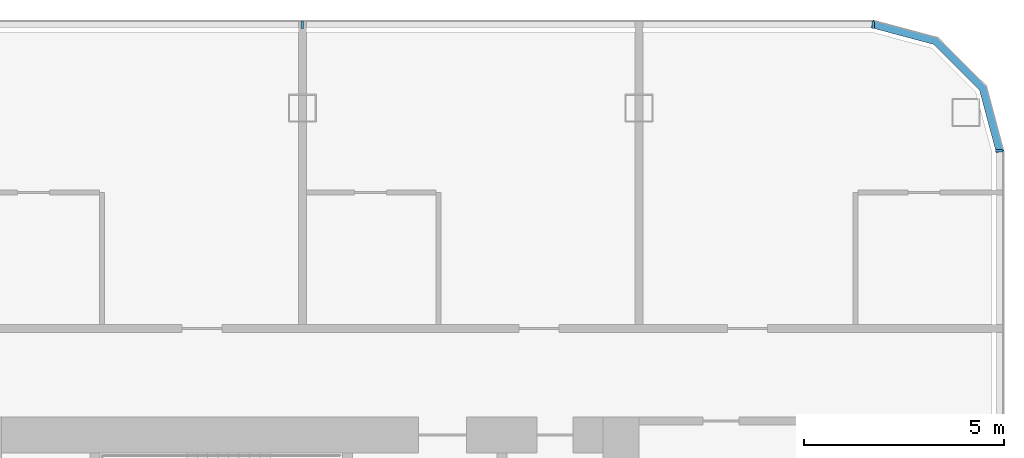
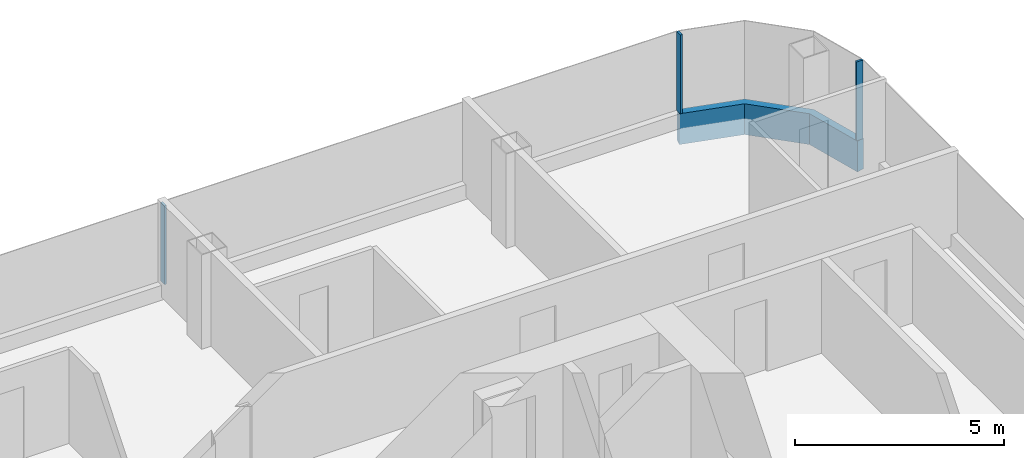
# One storey, part 10 of 25: 4 members, 3 elements without a shape of their own.
"""IFC4 building model written with IfcOpenShell, lengths in metres."""

from ifc_helpers import new_model, si_unit, direction, frame, origin, origin_2d, place, context, subcontext, project, spatial, polyline, rectangle, outline, extrude, material, layer, layer_set, material_profile, profile_set, type_object, element, aggregate, save


model = new_model("IFC4")

# Units and contexts
model_context = context("Model", 3, precision=1e-05, world=origin(), true_north=direction((0.0, 1.0)))
body_context = subcontext(model_context, "Body", "Model", "MODEL_VIEW")
ifc_project = project(units=[si_unit("LENGTHUNIT", "METRE"), si_unit("AREAUNIT", "SQUARE_METRE"), si_unit("VOLUMEUNIT", "CUBIC_METRE"), si_unit("PLANEANGLEUNIT", "RADIAN"), si_unit("MASSUNIT", "GRAM", prefix="KILO")], contexts=[model_context])

# Site, building, storey
site_placement = place(None, origin())
site = spatial("IfcSite", under=ifc_project, at=site_placement, CompositionType="ELEMENT")
building_placement = place(site_placement, origin())
building = spatial("IfcBuilding", under=site, at=building_placement, Name="Hakoniwa Tower and Hamabe Station Hall", CompositionType="ELEMENT")
storey_placement = place(building_placement, frame((0.0, 0.0, 147.0)))
storey = spatial("IfcBuildingStorey", under=building, at=storey_placement, Name="L41", CompositionType="ELEMENT", Elevation=147.0)

# Curtain wall, member
ifc_material_1 = material(Name="Dark low-e laminated glass", Category="glass")
ifc_layer = layer(ifc_material_1, 0.199951171875)
ifc_layer_set = layer_set([ifc_layer], Name="CW-1 UNITISED GUEST")
curtain_wall_type = type_object("IfcCurtainWallType", Name="CW-1 UNITISED GUEST", PredefinedType="NOTDEFINED", material=ifc_layer_set)
curtain_wall_1_placement = place(storey_placement, origin())
curtain_wall_1 = element("IfcCurtainWall", 1, at=curtain_wall_1_placement, inside=storey, type_object=curtain_wall_type, Name="CW-1 curtain wall", PredefinedType="NOTDEFINED")
ifc_material_2 = material(Name="Aluminium 6063-T5 black anodised", Category="aluminium")
ifc_material_profile_1 = material_profile(ifc_material_2, rectangle(XDim=0.199951171875, YDim=0.89990234375, at=origin_2d()), Name="CW SLAB-EDGE BAND 900X200")
ifc_profile_set_1 = profile_set([ifc_material_profile_1], Name="Aluminium 6063-T5 black anodised")
member_type_1 = type_object("IfcMemberType", Name="CW SLAB-EDGE BAND 900X200", PredefinedType="USERDEFINED", material=ifc_profile_set_1)
member_1_placement = place(storey_placement, frame((0.0, 0.0, -0.550048828125)))
member_1 = element("IfcMember", 2, at=member_1_placement, type_object=member_type_1, Name="CW-1 transom", ObjectType="TRANSOM", PredefinedType="USERDEFINED", context=body_context, shape_type="SweptSolid", body=[
    extrude(outline(polyline([(42.699951171875, 15.03955078125), (42.26708984375, 16.6552734375), (41.05517578125, 17.866943359375), (39.439453125, 18.300048828125), (39.3876953125, 18.10693359375), (40.95166015625, 17.687744140625), (42.087646484375, 16.5517578125), (42.5068359375, 14.98779296875), (42.699951171875, 15.03955078125)])), origin(), (0.0, 0.0, 1.0), 0.900146484375),
])
aggregate(curtain_wall_1, [member_1])

curtain_wall_2_placement = place(storey_placement, origin())
curtain_wall_2 = element("IfcCurtainWall", 3, at=curtain_wall_2_placement, inside=storey, type_object=curtain_wall_type, Name="CW-1 curtain wall", PredefinedType="NOTDEFINED")
ifc_material_3 = material(Name="Aluminium 6063-T5 black anodised", Category="aluminium")
ifc_material_profile_2 = material_profile(ifc_material_3, rectangle(XDim=0.06005859375, YDim=0.179931640625, at=origin_2d()), Name="CW-1 MULLION 60X180")
ifc_profile_set_2 = profile_set([ifc_material_profile_2], Name="Aluminium 6063-T5 black anodised")
member_type_2 = type_object("IfcMemberType", Name="CW-1 MULLION 60X180", PredefinedType="MULLION", material=ifc_profile_set_2)
member_2_placement = place(storey_placement, frame((42.58203125, 15.03955078125, 0.35009765625), z_axis=(0.0, 0.0, 1.0), x_axis=(0.0, 1.0, 0.0)))
member_2 = element("IfcMember", 4, at=member_2_placement, type_object=member_type_2, Name="CW-1 mullion", PredefinedType="MULLION", context=body_context, shape_type="SweptSolid", body=[
    extrude(rectangle(XDim=0.06005859375, YDim=0.179931640625, at=origin_2d()), origin(), (0.0, 0.0, 1.0), 2.2998046875),
])
aggregate(curtain_wall_2, [member_2])

# Curtain wall, members
curtain_wall_3_placement = place(storey_placement, origin())
curtain_wall_3 = element("IfcCurtainWall", 5, at=curtain_wall_3_placement, inside=storey, type_object=curtain_wall_type, Name="CW-1 curtain wall", PredefinedType="NOTDEFINED")
member_3_placement = place(storey_placement, frame((39.439453125, 18.181884765625, 0.35009765625), z_axis=(0.0, 0.0, 1.0), x_axis=(-1.0, 0.0, 0.0)))
member_3 = element("IfcMember", 6, at=member_3_placement, type_object=member_type_2, Name="CW-1 mullion", PredefinedType="MULLION", context=body_context, shape_type="SweptSolid", body=[
    extrude(rectangle(XDim=0.06005859375, YDim=0.179931640625, at=origin_2d()), origin(), (0.0, 0.0, 1.0), 2.2998046875),
])
member_4_placement = place(storey_placement, frame((25.199951171875, 18.181884765625, 0.35009765625), z_axis=(0.0, 0.0, 1.0), x_axis=(-1.0, 0.0, 0.0)))
member_4 = element("IfcMember", 7, at=member_4_placement, type_object=member_type_2, Name="CW-1 mullion", PredefinedType="MULLION", context=body_context, shape_type="SweptSolid", body=[
    extrude(rectangle(XDim=0.06005859375, YDim=0.179931640625, at=origin_2d()), origin(), (0.0, 0.0, 1.0), 2.2998046875),
])
aggregate(curtain_wall_3, [member_3, member_4])

save(model, "model.ifc")
